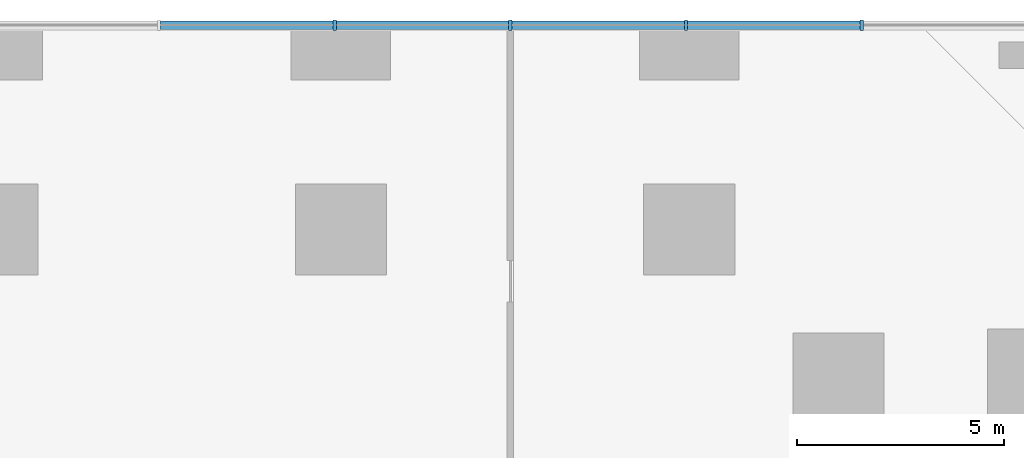
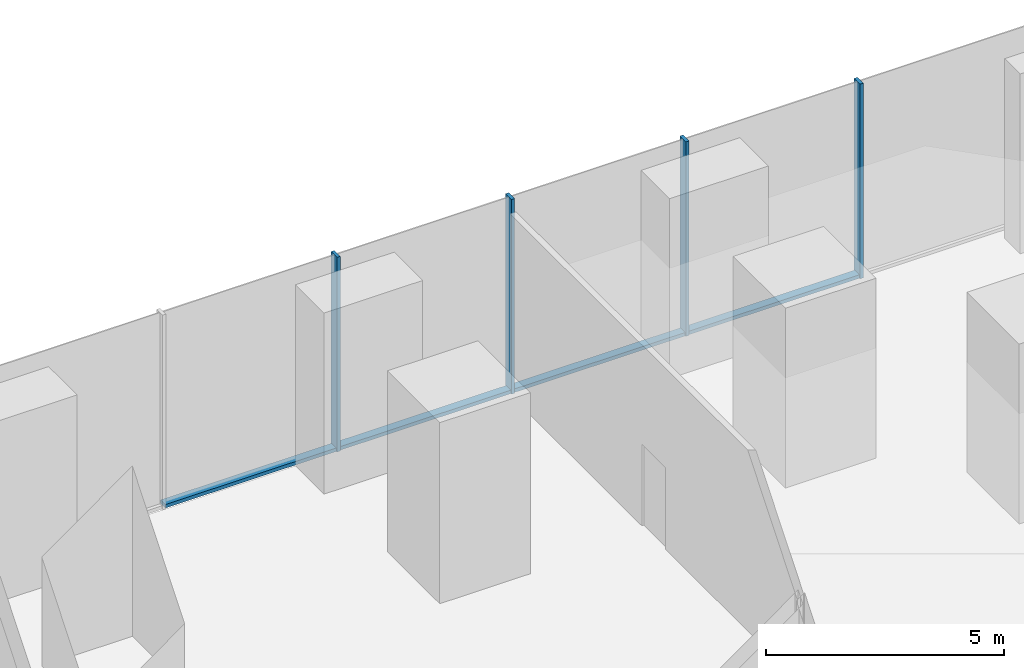
# One storey, part 7 of 18: 8 members, 1 element without a shape of its own.
"""IFC4 building model written with IfcOpenShell, lengths in metres."""

from ifc_helpers import new_model, si_unit, direction, frame, origin, origin_2d, place, context, subcontext, project, spatial, rectangle, extrude, material, material_profile, profile_set, type_object, element, aggregate, save


model = new_model("IFC4")

# Units and contexts
model_context = context("Model", 3, precision=1e-05, world=origin(), true_north=direction((0.0, 1.0)))
body_context = subcontext(model_context, "Body", "Model", "MODEL_VIEW")
ifc_project = project(units=[si_unit("LENGTHUNIT", "METRE"), si_unit("AREAUNIT", "SQUARE_METRE"), si_unit("VOLUMEUNIT", "CUBIC_METRE"), si_unit("PLANEANGLEUNIT", "RADIAN"), si_unit("MASSUNIT", "GRAM", prefix="KILO")], contexts=[model_context])

# Site, building, storey
site_placement = place(None, origin())
site = spatial("IfcSite", under=ifc_project, at=site_placement, CompositionType="ELEMENT")
building_placement = place(site_placement, origin())
building = spatial("IfcBuilding", under=site, at=building_placement, Name="Dunama Terrace Hotel", CompositionType="ELEMENT")
storey_placement = place(building_placement, frame((0.0, 0.0, 17.0)))
storey = spatial("IfcBuildingStorey", under=building, at=storey_placement, Name="L03", CompositionType="ELEMENT", Elevation=17.0)

# Curtain wall, members
ifc_material_1 = material(Name="Aluminium curtain wall system", Category="aluminium")
curtain_wall_type = type_object("IfcCurtainWallType", Name="Podium storefront glazing CW-E", PredefinedType="NOTDEFINED", material=ifc_material_1)
curtain_wall_placement = place(storey_placement, origin())
curtain_wall = element("IfcCurtainWall", 1, at=curtain_wall_placement, inside=storey, type_object=curtain_wall_type, Name="Podium storefront glazing CW-E L03", PredefinedType="NOTDEFINED")
ifc_material_2 = material(Name="Aluminium mullion", Category="aluminium")
ifc_material_profile_1 = material_profile(ifc_material_2, rectangle(XDim=0.080078125, YDim=0.25, at=origin_2d()), Name="CWE MULLION 80X250")
ifc_profile_set_1 = profile_set([ifc_material_profile_1], Name="Aluminium mullion")
member_type_1 = type_object("IfcMemberType", Name="CWE mullion 80x250", PredefinedType="MULLION", material=ifc_profile_set_1)
member_1_placement = place(storey_placement, frame((54.56201171875, 58.925048828125, 0.0), z_axis=(0.0, 0.0, 1.0), x_axis=(-1.0, 0.0, 0.0)))
member_1 = element("IfcMember", 2, at=member_1_placement, type_object=member_type_1, Name="CWE mullion", PredefinedType="MULLION", context=body_context, shape_type="SweptSolid", body=[
    extrude(rectangle(XDim=0.080078125, YDim=0.25, at=origin_2d()), origin(), (0.0, 0.0, 1.0), 5.0),
])
member_2_placement = place(storey_placement, frame((50.324951171875, 58.925048828125, 0.0), z_axis=(0.0, 0.0, 1.0), x_axis=(-1.0, 0.0, 0.0)))
member_2 = element("IfcMember", 3, at=member_2_placement, type_object=member_type_1, Name="CWE mullion", PredefinedType="MULLION", context=body_context, shape_type="SweptSolid", body=[
    extrude(rectangle(XDim=0.080078125, YDim=0.25, at=origin_2d()), origin(), (0.0, 0.0, 1.0), 5.0),
])
member_3_placement = place(storey_placement, frame((46.0869140625, 58.925048828125, 0.0), z_axis=(0.0, 0.0, 1.0), x_axis=(-1.0, 0.0, 0.0)))
member_3 = element("IfcMember", 4, at=member_3_placement, type_object=member_type_1, Name="CWE mullion", PredefinedType="MULLION", context=body_context, shape_type="SweptSolid", body=[
    extrude(rectangle(XDim=0.080078125, YDim=0.25, at=origin_2d()), origin(), (0.0, 0.0, 1.0), 5.0),
])
member_4_placement = place(storey_placement, frame((41.85009765625, 58.925048828125, 0.0), z_axis=(0.0, 0.0, 1.0), x_axis=(-1.0, 0.0, 0.0)))
member_4 = element("IfcMember", 5, at=member_4_placement, type_object=member_type_1, Name="CWE mullion", PredefinedType="MULLION", context=body_context, shape_type="SweptSolid", body=[
    extrude(rectangle(XDim=0.080078125, YDim=0.25, at=origin_2d()), origin(), (0.0, 0.0, 1.0), 5.0),
])
ifc_material_3 = material(Name="Aluminium transom", Category="aluminium")
ifc_material_profile_2 = material_profile(ifc_material_3, rectangle(XDim=0.199951171875, YDim=0.090087890625, at=origin_2d()), Name="CWE TRANSOM 200X90")
ifc_profile_set_2 = profile_set([ifc_material_profile_2], Name="Aluminium transom")
member_type_2 = type_object("IfcMemberType", Name="CWE transom 200x90", PredefinedType="USERDEFINED", material=ifc_profile_set_2)
member_5_placement = place(storey_placement, frame((54.52197265625, 58.925048828125, 0.044921875), z_axis=(-1.0, 0.0, 0.0), x_axis=(0.0, -1.0, 0.0)))
member_5 = element("IfcMember", 6, at=member_5_placement, type_object=member_type_2, Name="CWE transom", ObjectType="TRANSOM", PredefinedType="USERDEFINED", context=body_context, shape_type="SweptSolid", body=[
    extrude(rectangle(XDim=0.199951171875, YDim=0.090087890625, at=origin_2d()), origin(), (0.0, 0.0, 1.0), 4.156982421875),
])
member_6_placement = place(storey_placement, frame((50.284912109375, 58.925048828125, 0.044921875), z_axis=(-1.0, 0.0, 0.0), x_axis=(0.0, -1.0, 0.0)))
member_6 = element("IfcMember", 7, at=member_6_placement, type_object=member_type_2, Name="CWE transom", ObjectType="TRANSOM", PredefinedType="USERDEFINED", context=body_context, shape_type="SweptSolid", body=[
    extrude(rectangle(XDim=0.199951171875, YDim=0.090087890625, at=origin_2d()), origin(), (0.0, 0.0, 1.0), 4.157958984375),
])
member_7_placement = place(storey_placement, frame((46.047119140625, 58.925048828125, 0.044921875), z_axis=(-1.0, 0.0, 0.0), x_axis=(0.0, -1.0, 0.0)))
member_7 = element("IfcMember", 8, at=member_7_placement, type_object=member_type_2, Name="CWE transom", ObjectType="TRANSOM", PredefinedType="USERDEFINED", context=body_context, shape_type="SweptSolid", body=[
    extrude(rectangle(XDim=0.199951171875, YDim=0.090087890625, at=origin_2d()), origin(), (0.0, 0.0, 1.0), 4.1572265625),
])
member_8_placement = place(storey_placement, frame((41.81005859375, 58.925048828125, 0.044921875), z_axis=(-1.0, 0.0, 0.0), x_axis=(0.0, -1.0, 0.0)))
member_8 = element("IfcMember", 9, at=member_8_placement, type_object=member_type_2, Name="CWE transom", ObjectType="TRANSOM", PredefinedType="USERDEFINED", context=body_context, shape_type="SweptSolid", body=[
    extrude(rectangle(XDim=0.199951171875, YDim=0.090087890625, at=origin_2d()), origin(), (0.0, 0.0, 1.0), 4.157958984375),
])
aggregate(curtain_wall, [member_1, member_2, member_3, member_4, member_5, member_6, member_7, member_8])

save(model, "model.ifc")
